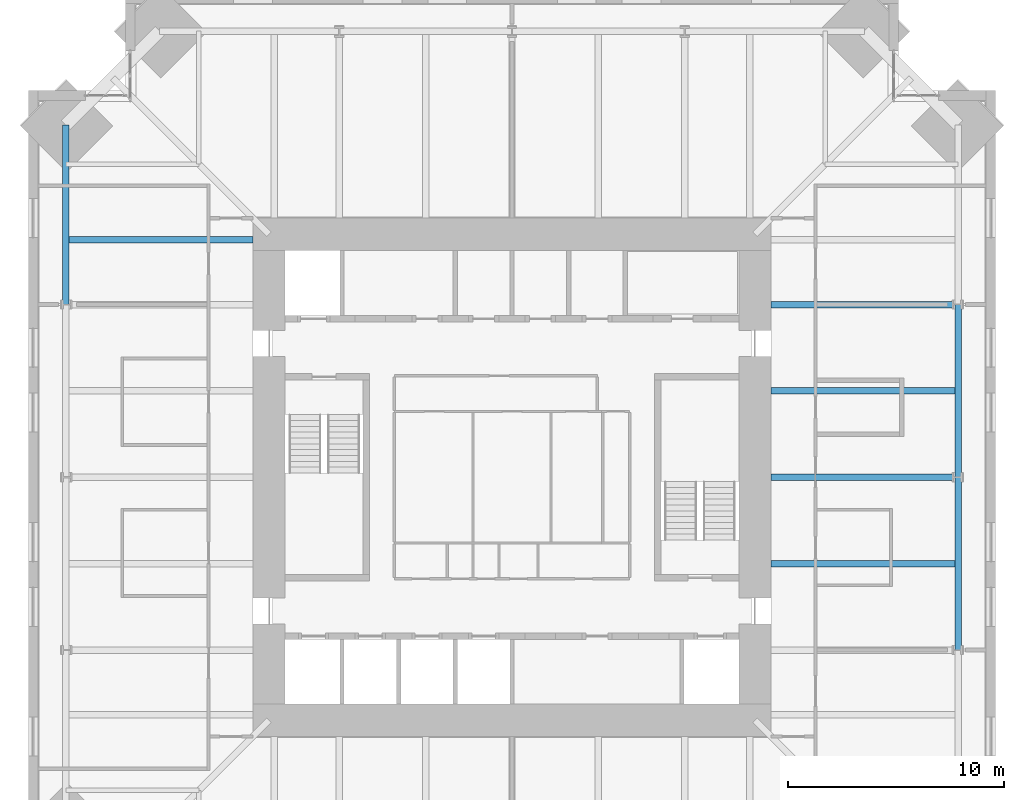
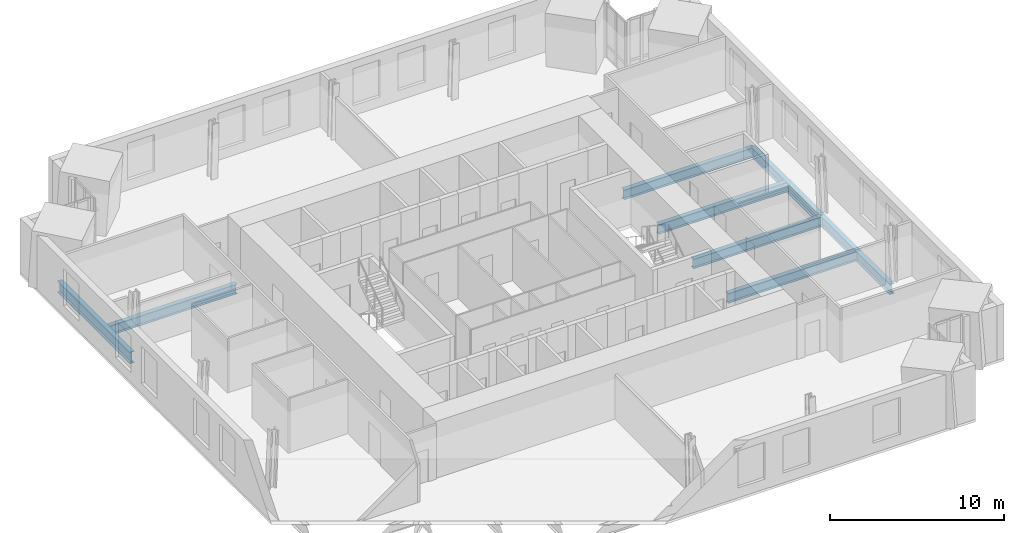
# One storey, part 5 of 17: 8 beams.
"""IFC4 building model written with IfcOpenShell, lengths in metres."""

from ifc_helpers import new_model, si_unit, direction, frame, origin, origin_2d, place, context, subcontext, project, spatial, i_section, extrude, material, material_profile, profile_set, type_object, element, save


model = new_model("IFC4")

# Units and contexts
model_context = context("Model", 3, precision=1e-05, world=origin(), true_north=direction((0.0, 1.0)))
body_context = subcontext(model_context, "Body", "Model", "MODEL_VIEW")
ifc_project = project(units=[si_unit("LENGTHUNIT", "METRE"), si_unit("AREAUNIT", "SQUARE_METRE"), si_unit("VOLUMEUNIT", "CUBIC_METRE"), si_unit("PLANEANGLEUNIT", "RADIAN"), si_unit("MASSUNIT", "GRAM", prefix="KILO")], contexts=[model_context])

# Site, building, storey
site_placement = place(None, origin())
site = spatial("IfcSite", under=ifc_project, at=site_placement, CompositionType="ELEMENT")
building_placement = place(site_placement, origin())
building = spatial("IfcBuilding", under=site, at=building_placement, Name="Peilmerk Tower", CompositionType="ELEMENT")
storey_placement = place(building_placement, frame((0.0, 0.0, 253.800048828125)))
storey = spatial("IfcBuildingStorey", under=building, at=storey_placement, Name="L56", CompositionType="ELEMENT", Elevation=253.800048828125)

# Beams
ifc_material = material(Name="Steel S355", Category="steel")
ifc_material_profile_1 = material_profile(ifc_material, i_section(OverallWidth=0.302978515625, OverallDepth=0.81396484375, WebThickness=0.02099609375, FlangeThickness=0.0400390625, at=origin_2d()), Name="HEM 800")
ifc_profile_set_1 = profile_set([ifc_material_profile_1], Name="Steel S355")
beam_type_1 = type_object("IfcBeamType", Name="B15 HEM 800 edge beam", PredefinedType="SPANDREL", material=ifc_profile_set_1)
beam_placement = place(storey_placement, frame((-20.662841796875, 16.31298828125, -0.5771484375), z_axis=(0.0, -1.0, 0.0), x_axis=(1.0, 0.0, 0.0)))
element("IfcBeam", 1, at=beam_placement, inside=storey, type_object=beam_type_1, Name="Edge beam L56", PredefinedType="SPANDREL", context=body_context, shape_type="SweptSolid", body=[
    extrude(i_section(OverallWidth=0.302978515625, OverallDepth=0.81396484375, WebThickness=0.02099609375, FlangeThickness=0.0400390625, at=origin_2d()), origin(), (0.0, 0.0, 1.0), 8.31298828125),
])
ifc_material_profile_2 = material_profile(ifc_material, i_section(OverallWidth=0.300048828125, OverallDepth=0.68994140625, WebThickness=0.014404296875, FlangeThickness=0.027099609375, at=origin_2d()), Name="HEA 700")
ifc_profile_set_2 = profile_set([ifc_material_profile_2], Name="Steel S355")
beam_type_2 = type_object("IfcBeamType", Name="B16 HEA 700 floor beam", PredefinedType="BEAM", material=ifc_profile_set_2)
for number, where, z_axis, x_axis, name in (
    (2, (12.0, -4.0, -0.51513671875), (1.0, 0.0, 0.0), (0.0, 1.0, 0.0), "Floor beam L56"),
    (3, (12.0, 0.0, -0.51513671875), (1.0, 0.0, 0.0), (0.0, 1.0, 0.0), "Floor beam L56"),
    (4, (12.0, 4.0, -0.51513671875), (1.0, 0.0, 0.0), (0.0, 1.0, 0.0), "Floor beam L56"),
    (5, (12.0, 8.0, -0.51513671875), (1.0, 0.0, 0.0), (0.0, 1.0, 0.0), "Floor beam L56"),
    (6, (-12.0, 11.0, -0.51513671875), (-1.0, 0.0, 0.0), (0.0, -1.0, 0.0), "Floor beam L56"),
):
    element("IfcBeam", number, at=place(storey_placement, frame(where, z_axis=z_axis, x_axis=x_axis)), inside=storey, type_object=beam_type_2, Name=name, PredefinedType="BEAM", context=body_context, shape_type="SweptSolid", body=[
        extrude(i_section(OverallWidth=0.300048828125, OverallDepth=0.68994140625, WebThickness=0.014404296875, FlangeThickness=0.027099609375, at=origin_2d()), origin(), (0.0, 0.0, 1.0), 8.662841796875),
    ])
ifc_material_profile_3 = material_profile(ifc_material, i_section(OverallWidth=0.303955078125, OverallDepth=0.716064453125, WebThickness=0.02099609375, FlangeThickness=0.0400390625, at=origin_2d()), Name="HEM 700")
ifc_profile_set_3 = profile_set([ifc_material_profile_3], Name="Steel S355")
beam_type_3 = type_object("IfcBeamType", Name="B30 HEM 700 edge beam", PredefinedType="SPANDREL", material=ifc_profile_set_3)
for number, where, z_axis, x_axis, name in (
    (7, (20.662841796875, -8.0, -0.528076171875), (0.0, 1.0, 0.0), (-1.0, 0.0, 0.0), "Edge beam L56"),
    (8, (20.662841796875, 0.0, -0.528076171875), (0.0, 1.0, 0.0), (-1.0, 0.0, 0.0), "Edge beam L56"),
):
    element("IfcBeam", number, at=place(storey_placement, frame(where, z_axis=z_axis, x_axis=x_axis)), inside=storey, type_object=beam_type_3, Name=name, PredefinedType="SPANDREL", context=body_context, shape_type="SweptSolid", body=[
        extrude(i_section(OverallWidth=0.303955078125, OverallDepth=0.716064453125, WebThickness=0.02099609375, FlangeThickness=0.0400390625, at=origin_2d()), origin(), (0.0, 0.0, 1.0), 8.0),
    ])

save(model, "model.ifc")
